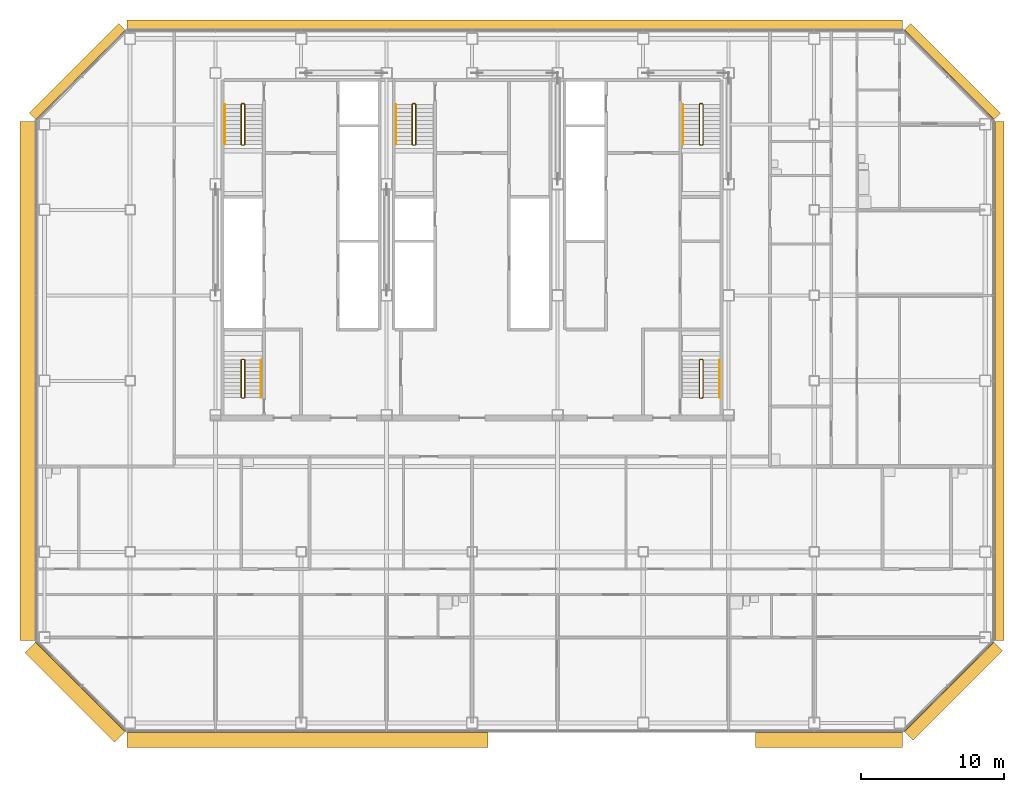
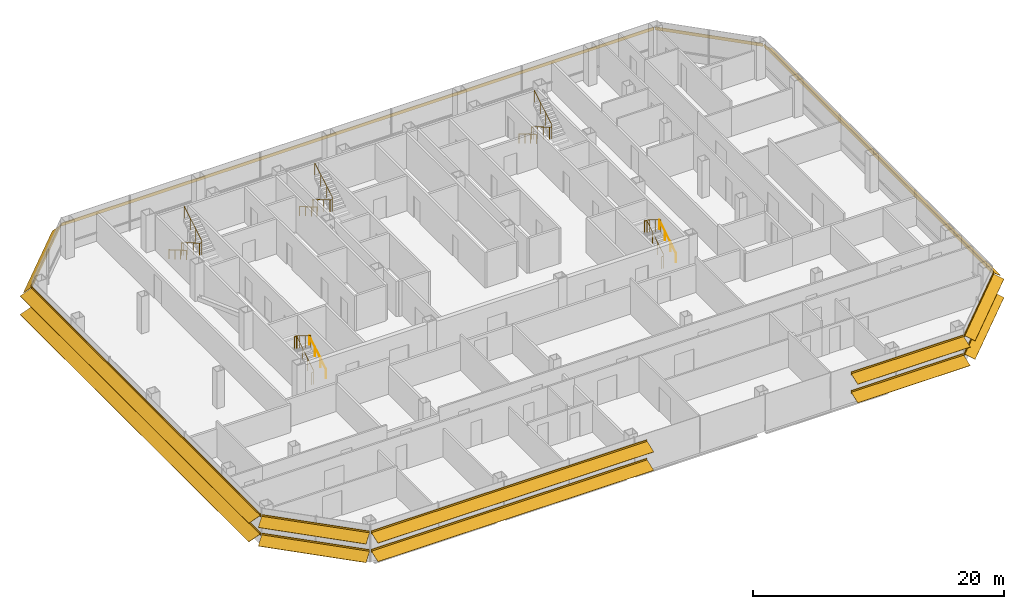
# One storey, part 24 of 25: 10 railings, 9 shading devices.
"""IFC4 building model written with IfcOpenShell, lengths in metres."""

from ifc_helpers import new_model, si_unit, direction, frame, origin, origin_2d, place, context, subcontext, project, spatial, polyline, circle, outline, composite_profile, extrude, material, type_object, element, save


model = new_model("IFC4")

# Units and contexts
model_context = context("Model", 3, precision=1e-05, world=origin(), true_north=direction((0.0, 1.0)))
body_context = subcontext(model_context, "Body", "Model", "MODEL_VIEW")
ifc_project = project(units=[si_unit("LENGTHUNIT", "METRE"), si_unit("AREAUNIT", "SQUARE_METRE"), si_unit("VOLUMEUNIT", "CUBIC_METRE"), si_unit("PLANEANGLEUNIT", "RADIAN"), si_unit("MASSUNIT", "GRAM", prefix="KILO")], contexts=[model_context])

# Site, building, storey
site_placement = place(None, origin())
site = spatial("IfcSite", under=ifc_project, at=site_placement, CompositionType="ELEMENT")
building_placement = place(site_placement, origin())
building = spatial("IfcBuilding", under=site, at=building_placement, Name="Sorahane Residences", CompositionType="ELEMENT")
storey_placement = place(building_placement, frame((0.0, 0.0, 99.800048828125)))
storey = spatial("IfcBuildingStorey", under=building, at=storey_placement, Name="L21", CompositionType="ELEMENT", Elevation=99.800048828125)

# Shading devices
ifc_material_1 = material(Name="Terracotta anodised aluminium", Category="masonry")
shading_device_type_1 = type_object("IfcShadingDeviceType", Name="Louvre sunshade blade E terracotta aluminium 700", PredefinedType="JALOUSIE", material=ifc_material_1)
shading_device_1_placement = place(storey_placement, frame((60.60009765625, 5.801513671875, 2.699951171875), z_axis=(0.0, 1.0, 0.0), x_axis=(-1.0, 0.0, 0.0)))
element("IfcShadingDevice", 1, at=shading_device_1_placement, inside=storey, type_object=shading_device_type_1, Name="Louvre sunshade blade bank E L21 E1", PredefinedType="JALOUSIE", context=body_context, shape_type="SweptSolid", body=[
    extrude(outline(polyline([(-0.719970703125, -0.49365234375), (-0.719970703125, -0.523681640625), (-0.080078125, -0.05859375), (-0.080078125, -0.14990234375), (-0.02001953125, -0.14990234375), (-0.02001953125, -0.014892578125), (-0.02001953125, 0.014892578125), (-0.02001953125, 0.14990234375), (-0.080078125, 0.14990234375), (-0.080078125, -0.028564453125), (-0.719970703125, -0.49365234375)])), origin(), (0.0, 0.0, 1.0), 36.39697265625),
])
ifc_material_2 = material(Name="Terracotta anodised aluminium", Category="masonry")
shading_device_type_2 = type_object("IfcShadingDeviceType", Name="Louvre sunshade blade N terracotta aluminium 700", PredefinedType="JALOUSIE", material=ifc_material_2)
shading_device_2_placement = place(storey_placement, frame((54.198486328125, 48.60009765625, 2.699951171875), z_axis=(-1.0, 0.0, 0.0), x_axis=(0.0, -1.0, 0.0)))
element("IfcShadingDevice", 2, at=shading_device_2_placement, inside=storey, type_object=shading_device_type_2, Name="Louvre sunshade blade bank N L21 N1", PredefinedType="JALOUSIE", context=body_context, shape_type="SweptSolid", body=[
    extrude(outline(polyline([(-0.719970703125, -0.660888671875), (-0.719970703125, -0.69091796875), (-0.080078125, -0.072998046875), (-0.080078125, -0.14990234375), (-0.02001953125, -0.14990234375), (-0.02001953125, -0.014892578125), (-0.02001953125, 0.014892578125), (-0.02001953125, 0.14990234375), (-0.080078125, 0.14990234375), (-0.080078125, -0.04296875), (-0.719970703125, -0.660888671875)])), origin(), (0.0, 0.0, 1.0), 54.39697265625),
])
ifc_material_3 = material(Name="Terracotta anodised aluminium", Category="masonry")
shading_device_type_3 = type_object("IfcShadingDeviceType", Name="Louvre sunshade blade NE terracotta aluminium 700", PredefinedType="JALOUSIE", material=ifc_material_3)
shading_device_3_placement = place(storey_placement, frame((60.564697265625, 42.283935546875, 2.699951171875), z_axis=(-0.707106781187, 0.707106781187, 0.0), x_axis=(-0.707106781187, -0.707106781187, 0.0)))
element("IfcShadingDevice", 3, at=shading_device_3_placement, inside=storey, type_object=shading_device_type_3, Name="Louvre sunshade blade bank NE L21 NE1", PredefinedType="JALOUSIE", context=body_context, shape_type="SweptSolid", body=[
    extrude(outline(polyline([(-0.719970703125, -0.572509765625), (-0.719970703125, -0.602294921875), (-0.080078125, -0.065185546875), (-0.080078125, -0.14990234375), (-0.02001953125, -0.14990234375), (-0.02001953125, -0.014892578125), (-0.02001953125, 0.014892578125), (-0.02001953125, 0.14990234375), (-0.080078125, 0.14990234375), (-0.080078125, -0.035400390625), (-0.719970703125, -0.572509765625)])), origin(), (0.0, 0.0, 1.0), 8.88232421875),
])
ifc_material_4 = material(Name="Terracotta anodised aluminium", Category="masonry")
shading_device_type_4 = type_object("IfcShadingDeviceType", Name="Louvre sunshade blade NW terracotta aluminium 700", PredefinedType="JALOUSIE", material=ifc_material_4)
shading_device_4_placement = place(storey_placement, frame((-0.283935546875, 48.564697265625, 2.699951171875), z_axis=(-0.707106781187, -0.707106781187, 0.0), x_axis=(0.707106781187, -0.707106781187, 0.0)))
element("IfcShadingDevice", 4, at=shading_device_4_placement, inside=storey, type_object=shading_device_type_4, Name="Louvre sunshade blade bank NW L21 NW1", PredefinedType="JALOUSIE", context=body_context, shape_type="SweptSolid", body=[
    extrude(outline(polyline([(-0.719970703125, -0.660888671875), (-0.719970703125, -0.69091796875), (-0.080078125, -0.072998046875), (-0.080078125, -0.14990234375), (-0.02001953125, -0.14990234375), (-0.02001953125, -0.014892578125), (-0.02001953125, 0.014892578125), (-0.02001953125, 0.14990234375), (-0.080078125, 0.14990234375), (-0.080078125, -0.04296875), (-0.719970703125, -0.660888671875)])), origin(), (0.0, 0.0, 1.0), 8.88232421875),
])
ifc_material_5 = material(Name="Terracotta anodised aluminium", Category="masonry")
shading_device_type_5 = type_object("IfcShadingDeviceType", Name="Louvre sunshade blade S terracotta aluminium 1100", PredefinedType="JALOUSIE", material=ifc_material_5)
shading_device_5_placement = place(storey_placement, frame((-0.198486328125, -0.60009765625, 0.89990234375), z_axis=(1.0, 0.0, 0.0), x_axis=(0.0, 1.0, 0.0)))
element("IfcShadingDevice", 5, at=shading_device_5_placement, inside=storey, type_object=shading_device_type_5, Name="Louvre sunshade blade bank S L21 S1", PredefinedType="JALOUSIE", context=body_context, shape_type="SweptSolid", body=[
    extrude(composite_profile([outline(polyline([(-1.1201171875, -0.385498046875), (-1.1201171875, -0.415283203125), (-0.080078125, -0.036865234375), (-0.080078125, -0.14990234375), (-0.02001953125, -0.14990234375), (-0.02001953125, -0.014892578125), (-0.02001953125, 0.014892578125), (-0.02001953125, 0.14990234375), (-0.080078125, 0.14990234375), (-0.080078125, -0.0068359375), (-1.1201171875, -0.385498046875)])), outline(polyline([(-1.1201171875, 1.41455078125), (-1.1201171875, 1.384521484375), (-0.080078125, 1.76318359375), (-0.080078125, 1.64990234375), (-0.02001953125, 1.64990234375), (-0.02001953125, 1.784912109375), (-0.02001953125, 1.81494140625), (-0.02001953125, 1.949951171875), (-0.080078125, 1.949951171875), (-0.080078125, 1.793212890625), (-1.1201171875, 1.41455078125)]))]), origin(), (0.0, 0.0, 1.0), 25.3291015625),
])
shading_device_6_placement = place(storey_placement, frame((43.869384765625, -0.60009765625, 0.89990234375), z_axis=(1.0, 0.0, 0.0), x_axis=(0.0, 1.0, 0.0)))
element("IfcShadingDevice", 6, at=shading_device_6_placement, inside=storey, type_object=shading_device_type_5, Name="Louvre sunshade blade bank S L21 S1 part 2", PredefinedType="JALOUSIE", context=body_context, shape_type="SweptSolid", body=[
    extrude(composite_profile([outline(polyline([(-1.1201171875, -0.385498046875), (-1.1201171875, -0.415283203125), (-0.080078125, -0.036865234375), (-0.080078125, -0.14990234375), (-0.02001953125, -0.14990234375), (-0.02001953125, -0.014892578125), (-0.02001953125, 0.014892578125), (-0.02001953125, 0.14990234375), (-0.080078125, 0.14990234375), (-0.080078125, -0.0068359375), (-1.1201171875, -0.385498046875)])), outline(polyline([(-1.1201171875, 1.41455078125), (-1.1201171875, 1.384521484375), (-0.080078125, 1.76318359375), (-0.080078125, 1.64990234375), (-0.02001953125, 1.64990234375), (-0.02001953125, 1.784912109375), (-0.02001953125, 1.81494140625), (-0.02001953125, 1.949951171875), (-0.080078125, 1.949951171875), (-0.080078125, 1.793212890625), (-1.1201171875, 1.41455078125)]))]), origin(), (0.0, 0.0, 1.0), 10.3291015625),
])
ifc_material_6 = material(Name="Terracotta anodised aluminium", Category="masonry")
shading_device_type_6 = type_object("IfcShadingDeviceType", Name="Louvre sunshade blade SE terracotta aluminium 900", PredefinedType="JALOUSIE", material=ifc_material_6)
shading_device_7_placement = place(storey_placement, frame((54.283935546875, -0.564697265625, 0.89990234375), z_axis=(0.707106781187, 0.707106781187, 0.0), x_axis=(-0.707106781187, 0.707106781187, 0.0)))
element("IfcShadingDevice", 7, at=shading_device_7_placement, inside=storey, type_object=shading_device_type_6, Name="Louvre sunshade blade bank SE L21 SE1", PredefinedType="JALOUSIE", context=body_context, shape_type="SweptSolid", body=[
    extrude(composite_profile([outline(polyline([(-0.919921875, -0.3486328125), (-0.919921875, -0.378662109375), (-0.080078125, -0.039306640625), (-0.080078125, -0.14990234375), (-0.02001953125, -0.14990234375), (-0.02001953125, -0.014892578125), (-0.02001953125, 0.014892578125), (-0.02001953125, 0.14990234375), (-0.080078125, 0.14990234375), (-0.080078125, -0.00927734375), (-0.919921875, -0.3486328125)])), outline(polyline([(-0.919921875, 1.451416015625), (-0.919921875, 1.42138671875), (-0.080078125, 1.7607421875), (-0.080078125, 1.64990234375), (-0.02001953125, 1.64990234375), (-0.02001953125, 1.784912109375), (-0.02001953125, 1.81494140625), (-0.02001953125, 1.949951171875), (-0.080078125, 1.949951171875), (-0.080078125, 1.790771484375), (-0.919921875, 1.451416015625)]))]), origin(), (0.0, 0.0, 1.0), 8.88232421875),
])
ifc_material_7 = material(Name="Terracotta anodised aluminium", Category="masonry")
shading_device_type_7 = type_object("IfcShadingDeviceType", Name="Louvre sunshade blade SW terracotta aluminium 1100", PredefinedType="JALOUSIE", material=ifc_material_7)
shading_device_8_placement = place(storey_placement, frame((-6.564697265625, 5.716064453125, 0.89990234375), z_axis=(0.707106781187, -0.707106781187, 0.0), x_axis=(0.707106781187, 0.707106781187, 0.0)))
element("IfcShadingDevice", 8, at=shading_device_8_placement, inside=storey, type_object=shading_device_type_7, Name="Louvre sunshade blade bank SW L21 SW1", PredefinedType="JALOUSIE", context=body_context, shape_type="SweptSolid", body=[
    extrude(composite_profile([outline(polyline([(-1.1201171875, -0.385498046875), (-1.1201171875, -0.415283203125), (-0.080078125, -0.036865234375), (-0.080078125, -0.14990234375), (-0.02001953125, -0.14990234375), (-0.02001953125, -0.014892578125), (-0.02001953125, 0.014892578125), (-0.02001953125, 0.14990234375), (-0.080078125, 0.14990234375), (-0.080078125, -0.0068359375), (-1.1201171875, -0.385498046875)])), outline(polyline([(-1.1201171875, 1.41455078125), (-1.1201171875, 1.384521484375), (-0.080078125, 1.76318359375), (-0.080078125, 1.64990234375), (-0.02001953125, 1.64990234375), (-0.02001953125, 1.784912109375), (-0.02001953125, 1.81494140625), (-0.02001953125, 1.949951171875), (-0.080078125, 1.949951171875), (-0.080078125, 1.793212890625), (-1.1201171875, 1.41455078125)]))]), origin(), (0.0, 0.0, 1.0), 8.88232421875),
])
ifc_material_8 = material(Name="Terracotta anodised aluminium", Category="masonry")
shading_device_type_8 = type_object("IfcShadingDeviceType", Name="Louvre sunshade blade W terracotta aluminium 1100", PredefinedType="JALOUSIE", material=ifc_material_8)
shading_device_9_placement = place(storey_placement, frame((-6.60009765625, 42.198486328125, 0.89990234375), z_axis=(0.0, -1.0, 0.0), x_axis=(1.0, 0.0, 0.0)))
element("IfcShadingDevice", 9, at=shading_device_9_placement, inside=storey, type_object=shading_device_type_8, Name="Louvre sunshade blade bank W L21 W1", PredefinedType="JALOUSIE", context=body_context, shape_type="SweptSolid", body=[
    extrude(composite_profile([outline(polyline([(-1.1201171875, -0.385498046875), (-1.1201171875, -0.415283203125), (-0.080078125, -0.036865234375), (-0.080078125, -0.14990234375), (-0.02001953125, -0.14990234375), (-0.02001953125, -0.014892578125), (-0.02001953125, 0.014892578125), (-0.02001953125, 0.14990234375), (-0.080078125, 0.14990234375), (-0.080078125, -0.0068359375), (-1.1201171875, -0.385498046875)])), outline(polyline([(-1.1201171875, 1.41455078125), (-1.1201171875, 1.384521484375), (-0.080078125, 1.76318359375), (-0.080078125, 1.64990234375), (-0.02001953125, 1.64990234375), (-0.02001953125, 1.784912109375), (-0.02001953125, 1.81494140625), (-0.02001953125, 1.949951171875), (-0.080078125, 1.949951171875), (-0.080078125, 1.793212890625), (-1.1201171875, 1.41455078125)]))]), origin(), (0.0, 0.0, 1.0), 36.39697265625),
])

# Railings
ifc_material_9 = material(Name="Steel Q355B", Category="steel")
railing_type_1 = type_object("IfcRailingType", Name="Stair guard 1200 Steel Q355B", PredefinedType="GUARDRAIL", material=ifc_material_9)
railing_1_placement = place(storey_placement, frame((8.0, 43.449951171875, 0.0)))
element("IfcRailing", 10, at=railing_1_placement, inside=storey, type_object=railing_type_1, Name="L21 S1 stair guard 1", PredefinedType="GUARDRAIL", context=body_context, shape_type="SweptSolid", body=[
    extrude(circle(Radius=0.02392578125, at=origin_2d()), frame((0.0, 0.0, 1.17578125), z_axis=(-1.0, 0.0, 0.0), x_axis=(0.0, -1.0, 0.0)), (0.0, 0.0, 1.0), 0.14990234375),
    extrude(circle(Radius=0.02392578125, at=origin_2d()), frame((-0.14990234375, 0.0, 1.17578125), z_axis=(-0.280808744504, -0.280808744504, 0.917765164963), x_axis=(0.707106781187, -0.707106781187, 0.0)), (0.0, 0.0, 1.0), 0.17822265625),
    extrude(circle(Radius=0.02392578125, at=origin_2d()), frame((-0.199951171875, -0.050048828125, 1.33935546875), z_axis=(0.0, -0.863341702679, 0.504619762213), x_axis=(1.0, 0.0, 0.0)), (0.0, 0.0, 1.0), 3.242919921875),
    extrude(circle(Radius=0.02392578125, at=origin_2d()), frame((-0.199951171875, -2.849853515625, 2.97607421875), z_axis=(0.707106781187, -0.707106781187, 0.0), x_axis=(0.707106781187, 0.707106781187, 0.0)), (0.0, 0.0, 1.0), 0.07080078125),
    extrude(circle(Radius=0.02392578125, at=origin_2d()), frame((-0.14990234375, -2.89990234375, 2.97607421875), z_axis=(1.0, 0.0, 0.0), x_axis=(0.0, 1.0, 0.0)), (0.0, 0.0, 1.0), 0.14990234375),
    extrude(circle(Radius=0.02392578125, at=origin_2d()), frame((0.0, -2.89990234375, 2.97607421875), z_axis=(0.280808744504, 0.280808744504, 0.917765164963), x_axis=(-0.707106781187, 0.707106781187, 0.0)), (0.0, 0.0, 1.0), 0.17822265625),
    extrude(circle(Radius=0.02392578125, at=origin_2d()), frame((0.050048828125, -2.849853515625, 3.1396484375), z_axis=(0.0, 0.863374499697, 0.504563646405), x_axis=(-1.0, 0.0, 0.0)), (0.0, 0.0, 1.0), 3.242919921875),
    extrude(circle(Radius=0.02099609375, at=origin_2d()), origin(), (0.0, 0.0, 1.0), 1.15185546875),
    extrude(circle(Radius=0.02099609375, at=origin_2d()), frame((-0.14990234375, 0.0, 0.0)), (0.0, 0.0, 1.0), 1.15185546875),
    extrude(circle(Radius=0.02099609375, at=origin_2d()), frame((-0.199951171875, -0.050048828125, 0.16357421875)), (0.0, 0.0, 1.0), 1.15185546875),
    extrude(circle(Radius=0.02099609375, at=origin_2d()), frame((-0.199951171875, -0.9833984375, 0.708984375)), (0.0, 0.0, 1.0), 1.15185546875),
    extrude(circle(Radius=0.02099609375, at=origin_2d()), frame((-0.199951171875, -1.91650390625, 1.254638671875)), (0.0, 0.0, 1.0), 1.15185546875),
    extrude(circle(Radius=0.02099609375, at=origin_2d()), frame((-0.199951171875, -2.849853515625, 1.800048828125)), (0.0, 0.0, 1.0), 1.15185546875),
    extrude(circle(Radius=0.02099609375, at=origin_2d()), frame((-0.14990234375, -2.89990234375, 1.800048828125)), (0.0, 0.0, 1.0), 1.15185546875),
    extrude(circle(Radius=0.02099609375, at=origin_2d()), frame((0.0, -2.89990234375, 1.800048828125)), (0.0, 0.0, 1.0), 1.15185546875),
    extrude(circle(Radius=0.02099609375, at=origin_2d()), frame((0.050048828125, -2.849853515625, 1.963623046875)), (0.0, 0.0, 1.0), 1.15185546875),
    extrude(circle(Radius=0.02099609375, at=origin_2d()), frame((0.050048828125, -1.91650390625, 2.509033203125)), (0.0, 0.0, 1.0), 1.15185546875),
    extrude(circle(Radius=0.02099609375, at=origin_2d()), frame((0.050048828125, -0.9833984375, 3.054443359375)), (0.0, 0.0, 1.0), 1.15185546875),
    extrude(circle(Radius=0.02099609375, at=origin_2d()), frame((0.050048828125, -0.050048828125, 3.599853515625)), (0.0, 0.0, 1.0), 1.15185546875),
])
railing_2_placement = place(storey_placement, frame((40.14990234375, 43.449951171875, 0.0)))
element("IfcRailing", 11, at=railing_2_placement, inside=storey, type_object=railing_type_1, Name="L21 S2 stair guard 1", PredefinedType="GUARDRAIL", context=body_context, shape_type="SweptSolid", body=[
    extrude(circle(Radius=0.02392578125, at=origin_2d()), frame((0.0, 0.0, 1.17578125), z_axis=(-1.0, 0.0, 0.0), x_axis=(0.0, -1.0, 0.0)), (0.0, 0.0, 1.0), 0.14990234375),
    extrude(circle(Radius=0.02392578125, at=origin_2d()), frame((-0.14990234375, 0.0, 1.17578125), z_axis=(-0.280808744504, -0.280808744504, 0.917765164963), x_axis=(0.707106781187, -0.707106781187, 0.0)), (0.0, 0.0, 1.0), 0.17822265625),
    extrude(circle(Radius=0.02392578125, at=origin_2d()), frame((-0.199951171875, -0.050048828125, 1.33935546875), z_axis=(0.0, -0.863341702679, 0.504619762213), x_axis=(1.0, 0.0, 0.0)), (0.0, 0.0, 1.0), 3.242919921875),
    extrude(circle(Radius=0.02392578125, at=origin_2d()), frame((-0.199951171875, -2.849853515625, 2.97607421875), z_axis=(0.707106781187, -0.707106781187, 0.0), x_axis=(0.707106781187, 0.707106781187, 0.0)), (0.0, 0.0, 1.0), 0.07080078125),
    extrude(circle(Radius=0.02392578125, at=origin_2d()), frame((-0.14990234375, -2.89990234375, 2.97607421875), z_axis=(1.0, 0.0, 0.0), x_axis=(0.0, 1.0, 0.0)), (0.0, 0.0, 1.0), 0.14990234375),
    extrude(circle(Radius=0.02392578125, at=origin_2d()), frame((0.0, -2.89990234375, 2.97607421875), z_axis=(0.280808744504, 0.280808744504, 0.917765164963), x_axis=(-0.707106781187, 0.707106781187, 0.0)), (0.0, 0.0, 1.0), 0.17822265625),
    extrude(circle(Radius=0.02392578125, at=origin_2d()), frame((0.050048828125, -2.849853515625, 3.1396484375), z_axis=(0.0, 0.863374499697, 0.504563646405), x_axis=(-1.0, 0.0, 0.0)), (0.0, 0.0, 1.0), 3.242919921875),
    extrude(circle(Radius=0.02099609375, at=origin_2d()), origin(), (0.0, 0.0, 1.0), 1.15185546875),
    extrude(circle(Radius=0.02099609375, at=origin_2d()), frame((-0.14990234375, 0.0, 0.0)), (0.0, 0.0, 1.0), 1.15185546875),
    extrude(circle(Radius=0.02099609375, at=origin_2d()), frame((-0.199951171875, -0.050048828125, 0.16357421875)), (0.0, 0.0, 1.0), 1.15185546875),
    extrude(circle(Radius=0.02099609375, at=origin_2d()), frame((-0.199951171875, -0.9833984375, 0.708984375)), (0.0, 0.0, 1.0), 1.15185546875),
    extrude(circle(Radius=0.02099609375, at=origin_2d()), frame((-0.199951171875, -1.91650390625, 1.254638671875)), (0.0, 0.0, 1.0), 1.15185546875),
    extrude(circle(Radius=0.02099609375, at=origin_2d()), frame((-0.199951171875, -2.849853515625, 1.800048828125)), (0.0, 0.0, 1.0), 1.15185546875),
    extrude(circle(Radius=0.02099609375, at=origin_2d()), frame((-0.14990234375, -2.89990234375, 1.800048828125)), (0.0, 0.0, 1.0), 1.15185546875),
    extrude(circle(Radius=0.02099609375, at=origin_2d()), frame((0.0, -2.89990234375, 1.800048828125)), (0.0, 0.0, 1.0), 1.15185546875),
    extrude(circle(Radius=0.02099609375, at=origin_2d()), frame((0.050048828125, -2.849853515625, 1.963623046875)), (0.0, 0.0, 1.0), 1.15185546875),
    extrude(circle(Radius=0.02099609375, at=origin_2d()), frame((0.050048828125, -1.91650390625, 2.509033203125)), (0.0, 0.0, 1.0), 1.15185546875),
    extrude(circle(Radius=0.02099609375, at=origin_2d()), frame((0.050048828125, -0.9833984375, 3.054443359375)), (0.0, 0.0, 1.0), 1.15185546875),
    extrude(circle(Radius=0.02099609375, at=origin_2d()), frame((0.050048828125, -0.050048828125, 3.599853515625)), (0.0, 0.0, 1.0), 1.15185546875),
])
railing_3_placement = place(storey_placement, frame((20.0, 43.449951171875, 0.0)))
element("IfcRailing", 12, at=railing_3_placement, inside=storey, type_object=railing_type_1, Name="L21 S3 stair guard 1", PredefinedType="GUARDRAIL", context=body_context, shape_type="SweptSolid", body=[
    extrude(circle(Radius=0.02392578125, at=origin_2d()), frame((0.0, 0.0, 1.17578125), z_axis=(-1.0, 0.0, 0.0), x_axis=(0.0, -1.0, 0.0)), (0.0, 0.0, 1.0), 0.14990234375),
    extrude(circle(Radius=0.02392578125, at=origin_2d()), frame((-0.14990234375, 0.0, 1.17578125), z_axis=(-0.280808744504, -0.280808744504, 0.917765164963), x_axis=(0.707106781187, -0.707106781187, 0.0)), (0.0, 0.0, 1.0), 0.17822265625),
    extrude(circle(Radius=0.02392578125, at=origin_2d()), frame((-0.199951171875, -0.050048828125, 1.33935546875), z_axis=(0.0, -0.863341702679, 0.504619762213), x_axis=(1.0, 0.0, 0.0)), (0.0, 0.0, 1.0), 3.242919921875),
    extrude(circle(Radius=0.02392578125, at=origin_2d()), frame((-0.199951171875, -2.849853515625, 2.97607421875), z_axis=(0.707106781187, -0.707106781187, 0.0), x_axis=(0.707106781187, 0.707106781187, 0.0)), (0.0, 0.0, 1.0), 0.07080078125),
    extrude(circle(Radius=0.02392578125, at=origin_2d()), frame((-0.14990234375, -2.89990234375, 2.97607421875), z_axis=(1.0, 0.0, 0.0), x_axis=(0.0, 1.0, 0.0)), (0.0, 0.0, 1.0), 0.14990234375),
    extrude(circle(Radius=0.02392578125, at=origin_2d()), frame((0.0, -2.89990234375, 2.97607421875), z_axis=(0.280808744504, 0.280808744504, 0.917765164963), x_axis=(-0.707106781187, 0.707106781187, 0.0)), (0.0, 0.0, 1.0), 0.17822265625),
    extrude(circle(Radius=0.02392578125, at=origin_2d()), frame((0.050048828125, -2.849853515625, 3.1396484375), z_axis=(0.0, 0.863374499697, 0.504563646405), x_axis=(-1.0, 0.0, 0.0)), (0.0, 0.0, 1.0), 3.242919921875),
    extrude(circle(Radius=0.02099609375, at=origin_2d()), origin(), (0.0, 0.0, 1.0), 1.15185546875),
    extrude(circle(Radius=0.02099609375, at=origin_2d()), frame((-0.14990234375, 0.0, 0.0)), (0.0, 0.0, 1.0), 1.15185546875),
    extrude(circle(Radius=0.02099609375, at=origin_2d()), frame((-0.199951171875, -0.050048828125, 0.16357421875)), (0.0, 0.0, 1.0), 1.15185546875),
    extrude(circle(Radius=0.02099609375, at=origin_2d()), frame((-0.199951171875, -0.9833984375, 0.708984375)), (0.0, 0.0, 1.0), 1.15185546875),
    extrude(circle(Radius=0.02099609375, at=origin_2d()), frame((-0.199951171875, -1.91650390625, 1.254638671875)), (0.0, 0.0, 1.0), 1.15185546875),
    extrude(circle(Radius=0.02099609375, at=origin_2d()), frame((-0.199951171875, -2.849853515625, 1.800048828125)), (0.0, 0.0, 1.0), 1.15185546875),
    extrude(circle(Radius=0.02099609375, at=origin_2d()), frame((-0.14990234375, -2.89990234375, 1.800048828125)), (0.0, 0.0, 1.0), 1.15185546875),
    extrude(circle(Radius=0.02099609375, at=origin_2d()), frame((0.0, -2.89990234375, 1.800048828125)), (0.0, 0.0, 1.0), 1.15185546875),
    extrude(circle(Radius=0.02099609375, at=origin_2d()), frame((0.050048828125, -2.849853515625, 1.963623046875)), (0.0, 0.0, 1.0), 1.15185546875),
    extrude(circle(Radius=0.02099609375, at=origin_2d()), frame((0.050048828125, -1.91650390625, 2.509033203125)), (0.0, 0.0, 1.0), 1.15185546875),
    extrude(circle(Radius=0.02099609375, at=origin_2d()), frame((0.050048828125, -0.9833984375, 3.054443359375)), (0.0, 0.0, 1.0), 1.15185546875),
    extrude(circle(Radius=0.02099609375, at=origin_2d()), frame((0.050048828125, -0.050048828125, 3.599853515625)), (0.0, 0.0, 1.0), 1.15185546875),
])
railing_4_placement = place(storey_placement, frame((7.85009765625, 22.800048828125, 0.0)))
element("IfcRailing", 13, at=railing_4_placement, inside=storey, type_object=railing_type_1, Name="L21 S4 stair guard 1", PredefinedType="GUARDRAIL", context=body_context, shape_type="SweptSolid", body=[
    extrude(circle(Radius=0.02392578125, at=origin_2d()), frame((0.0, 0.0, 1.17578125), z_axis=(1.0, 0.0, 0.0), x_axis=(0.0, 1.0, 0.0)), (0.0, 0.0, 1.0), 0.14990234375),
    extrude(circle(Radius=0.02392578125, at=origin_2d()), frame((0.14990234375, 0.0, 1.17578125), z_axis=(0.280808744504, 0.280808744504, 0.917765164963), x_axis=(-0.707106781187, 0.707106781187, 0.0)), (0.0, 0.0, 1.0), 0.17822265625),
    extrude(circle(Radius=0.02392578125, at=origin_2d()), frame((0.199951171875, 0.050048828125, 1.33935546875), z_axis=(0.0, 0.846301844409, 0.532703658848), x_axis=(-1.0, 0.0, 0.0)), (0.0, 0.0, 1.0), 3.072021484375),
    extrude(circle(Radius=0.02392578125, at=origin_2d()), frame((0.199951171875, 2.64990234375, 2.97607421875), z_axis=(-0.707106781187, 0.707106781187, 0.0), x_axis=(-0.707106781187, -0.707106781187, 0.0)), (0.0, 0.0, 1.0), 0.07080078125),
    extrude(circle(Radius=0.02392578125, at=origin_2d()), frame((0.14990234375, 2.699951171875, 2.97607421875), z_axis=(-1.0, 0.0, 0.0), x_axis=(0.0, -1.0, 0.0)), (0.0, 0.0, 1.0), 0.14990234375),
    extrude(circle(Radius=0.02392578125, at=origin_2d()), frame((0.0, 2.699951171875, 2.97607421875), z_axis=(-0.280808744504, -0.280808744504, 0.917765164963), x_axis=(0.707106781187, -0.707106781187, 0.0)), (0.0, 0.0, 1.0), 0.17822265625),
    extrude(circle(Radius=0.02392578125, at=origin_2d()), frame((-0.050048828125, 2.64990234375, 3.1396484375), z_axis=(0.0, -0.846337672412, 0.532646734952), x_axis=(1.0, 0.0, 0.0)), (0.0, 0.0, 1.0), 3.07177734375),
    extrude(circle(Radius=0.02099609375, at=origin_2d()), origin(), (0.0, 0.0, 1.0), 1.15185546875),
    extrude(circle(Radius=0.02099609375, at=origin_2d()), frame((0.14990234375, 0.0, 0.0)), (0.0, 0.0, 1.0), 1.15185546875),
    extrude(circle(Radius=0.02099609375, at=origin_2d()), frame((0.199951171875, 0.050048828125, 0.16357421875)), (0.0, 0.0, 1.0), 1.15185546875),
    extrude(circle(Radius=0.02099609375, at=origin_2d()), frame((0.199951171875, 0.916748046875, 0.708984375)), (0.0, 0.0, 1.0), 1.15185546875),
    extrude(circle(Radius=0.02099609375, at=origin_2d()), frame((0.199951171875, 1.783203125, 1.254638671875)), (0.0, 0.0, 1.0), 1.15185546875),
    extrude(circle(Radius=0.02099609375, at=origin_2d()), frame((0.199951171875, 2.64990234375, 1.800048828125)), (0.0, 0.0, 1.0), 1.15185546875),
    extrude(circle(Radius=0.02099609375, at=origin_2d()), frame((0.14990234375, 2.699951171875, 1.800048828125)), (0.0, 0.0, 1.0), 1.15185546875),
    extrude(circle(Radius=0.02099609375, at=origin_2d()), frame((0.0, 2.699951171875, 1.800048828125)), (0.0, 0.0, 1.0), 1.15185546875),
    extrude(circle(Radius=0.02099609375, at=origin_2d()), frame((-0.050048828125, 2.64990234375, 1.963623046875)), (0.0, 0.0, 1.0), 1.15185546875),
    extrude(circle(Radius=0.02099609375, at=origin_2d()), frame((-0.050048828125, 1.783203125, 2.509033203125)), (0.0, 0.0, 1.0), 1.15185546875),
    extrude(circle(Radius=0.02099609375, at=origin_2d()), frame((-0.050048828125, 0.916748046875, 3.054443359375)), (0.0, 0.0, 1.0), 1.15185546875),
    extrude(circle(Radius=0.02099609375, at=origin_2d()), frame((-0.050048828125, 0.050048828125, 3.599853515625)), (0.0, 0.0, 1.0), 1.15185546875),
])
railing_5_placement = place(storey_placement, frame((40.0, 22.800048828125, 0.0)))
element("IfcRailing", 14, at=railing_5_placement, inside=storey, type_object=railing_type_1, Name="L21 S5 stair guard 1", PredefinedType="GUARDRAIL", context=body_context, shape_type="SweptSolid", body=[
    extrude(circle(Radius=0.02392578125, at=origin_2d()), frame((0.0, 0.0, 1.17578125), z_axis=(1.0, 0.0, 0.0), x_axis=(0.0, 1.0, 0.0)), (0.0, 0.0, 1.0), 0.14990234375),
    extrude(circle(Radius=0.02392578125, at=origin_2d()), frame((0.14990234375, 0.0, 1.17578125), z_axis=(0.280808744504, 0.280808744504, 0.917765164963), x_axis=(-0.707106781187, 0.707106781187, 0.0)), (0.0, 0.0, 1.0), 0.17822265625),
    extrude(circle(Radius=0.02392578125, at=origin_2d()), frame((0.199951171875, 0.050048828125, 1.33935546875), z_axis=(0.0, 0.846301844409, 0.532703658848), x_axis=(-1.0, 0.0, 0.0)), (0.0, 0.0, 1.0), 3.072021484375),
    extrude(circle(Radius=0.02392578125, at=origin_2d()), frame((0.199951171875, 2.64990234375, 2.97607421875), z_axis=(-0.707106781187, 0.707106781187, 0.0), x_axis=(-0.707106781187, -0.707106781187, 0.0)), (0.0, 0.0, 1.0), 0.07080078125),
    extrude(circle(Radius=0.02392578125, at=origin_2d()), frame((0.14990234375, 2.699951171875, 2.97607421875), z_axis=(-1.0, 0.0, 0.0), x_axis=(0.0, -1.0, 0.0)), (0.0, 0.0, 1.0), 0.14990234375),
    extrude(circle(Radius=0.02392578125, at=origin_2d()), frame((0.0, 2.699951171875, 2.97607421875), z_axis=(-0.280808744504, -0.280808744504, 0.917765164963), x_axis=(0.707106781187, -0.707106781187, 0.0)), (0.0, 0.0, 1.0), 0.17822265625),
    extrude(circle(Radius=0.02392578125, at=origin_2d()), frame((-0.050048828125, 2.64990234375, 3.1396484375), z_axis=(0.0, -0.846337672412, 0.532646734952), x_axis=(1.0, 0.0, 0.0)), (0.0, 0.0, 1.0), 3.07177734375),
    extrude(circle(Radius=0.02099609375, at=origin_2d()), origin(), (0.0, 0.0, 1.0), 1.15185546875),
    extrude(circle(Radius=0.02099609375, at=origin_2d()), frame((0.14990234375, 0.0, 0.0)), (0.0, 0.0, 1.0), 1.15185546875),
    extrude(circle(Radius=0.02099609375, at=origin_2d()), frame((0.199951171875, 0.050048828125, 0.16357421875)), (0.0, 0.0, 1.0), 1.15185546875),
    extrude(circle(Radius=0.02099609375, at=origin_2d()), frame((0.199951171875, 0.916748046875, 0.708984375)), (0.0, 0.0, 1.0), 1.15185546875),
    extrude(circle(Radius=0.02099609375, at=origin_2d()), frame((0.199951171875, 1.783203125, 1.254638671875)), (0.0, 0.0, 1.0), 1.15185546875),
    extrude(circle(Radius=0.02099609375, at=origin_2d()), frame((0.199951171875, 2.64990234375, 1.800048828125)), (0.0, 0.0, 1.0), 1.15185546875),
    extrude(circle(Radius=0.02099609375, at=origin_2d()), frame((0.14990234375, 2.699951171875, 1.800048828125)), (0.0, 0.0, 1.0), 1.15185546875),
    extrude(circle(Radius=0.02099609375, at=origin_2d()), frame((0.0, 2.699951171875, 1.800048828125)), (0.0, 0.0, 1.0), 1.15185546875),
    extrude(circle(Radius=0.02099609375, at=origin_2d()), frame((-0.050048828125, 2.64990234375, 1.963623046875)), (0.0, 0.0, 1.0), 1.15185546875),
    extrude(circle(Radius=0.02099609375, at=origin_2d()), frame((-0.050048828125, 1.783203125, 2.509033203125)), (0.0, 0.0, 1.0), 1.15185546875),
    extrude(circle(Radius=0.02099609375, at=origin_2d()), frame((-0.050048828125, 0.916748046875, 3.054443359375)), (0.0, 0.0, 1.0), 1.15185546875),
    extrude(circle(Radius=0.02099609375, at=origin_2d()), frame((-0.050048828125, 0.050048828125, 3.599853515625)), (0.0, 0.0, 1.0), 1.15185546875),
])
ifc_material_10 = material(Name="Steel Q355B", Category="steel")
railing_type_2 = type_object("IfcRailingType", Name="Stair handrail 900 Steel Q355B", PredefinedType="HANDRAIL", material=ifc_material_10)
for number, where, name in (
    (15, (6.64990234375, 43.39990234375, 0.16357421875), "L21 S1 stair handrail 1"),
    (16, (38.800048828125, 43.39990234375, 0.16357421875), "L21 S2 stair handrail 1"),
    (17, (18.64990234375, 43.39990234375, 0.16357421875), "L21 S3 stair handrail 1"),
):
    element("IfcRailing", number, at=place(storey_placement, frame(where)), inside=storey, type_object=railing_type_2, Name=name, PredefinedType="HANDRAIL", context=body_context, shape_type="SweptSolid", body=[
        extrude(circle(Radius=0.02392578125, at=origin_2d()), frame((0.0, 0.0, 0.8759765625), z_axis=(0.0, -0.863341702679, 0.504619762213), x_axis=(1.0, 0.0, 0.0)), (0.0, 0.0, 1.0), 3.242919921875),
        extrude(circle(Radius=0.02099609375, at=origin_2d()), origin(), (0.0, 0.0, 1.0), 0.851806640625),
        extrude(circle(Radius=0.02099609375, at=origin_2d()), frame((0.0, -0.933349609375, 0.54541015625)), (0.0, 0.0, 1.0), 0.851806640625),
        extrude(circle(Radius=0.02099609375, at=origin_2d()), frame((0.0, -1.866455078125, 1.091064453125)), (0.0, 0.0, 1.0), 0.851806640625),
        extrude(circle(Radius=0.02099609375, at=origin_2d()), frame((0.0, -2.7998046875, 1.636474609375)), (0.0, 0.0, 1.0), 0.851806640625),
    ])
for number, where, name in (
    (18, (9.199951171875, 22.85009765625, 0.16357421875), "L21 S4 stair handrail 1"),
    (19, (41.35009765625, 22.85009765625, 0.16357421875), "L21 S5 stair handrail 1"),
):
    element("IfcRailing", number, at=place(storey_placement, frame(where)), inside=storey, type_object=railing_type_2, Name=name, PredefinedType="HANDRAIL", context=body_context, shape_type="SweptSolid", body=[
        extrude(circle(Radius=0.02392578125, at=origin_2d()), frame((0.0, 0.0, 0.8759765625), z_axis=(0.0, 0.846301844409, 0.532703658848), x_axis=(-1.0, 0.0, 0.0)), (0.0, 0.0, 1.0), 3.072021484375),
        extrude(circle(Radius=0.02099609375, at=origin_2d()), origin(), (0.0, 0.0, 1.0), 0.851806640625),
        extrude(circle(Radius=0.02099609375, at=origin_2d()), frame((0.0, 0.86669921875, 0.54541015625)), (0.0, 0.0, 1.0), 0.851806640625),
        extrude(circle(Radius=0.02099609375, at=origin_2d()), frame((0.0, 1.733154296875, 1.091064453125)), (0.0, 0.0, 1.0), 0.851806640625),
        extrude(circle(Radius=0.02099609375, at=origin_2d()), frame((0.0, 2.599853515625, 1.636474609375)), (0.0, 0.0, 1.0), 0.851806640625),
    ])

save(model, "model.ifc")
